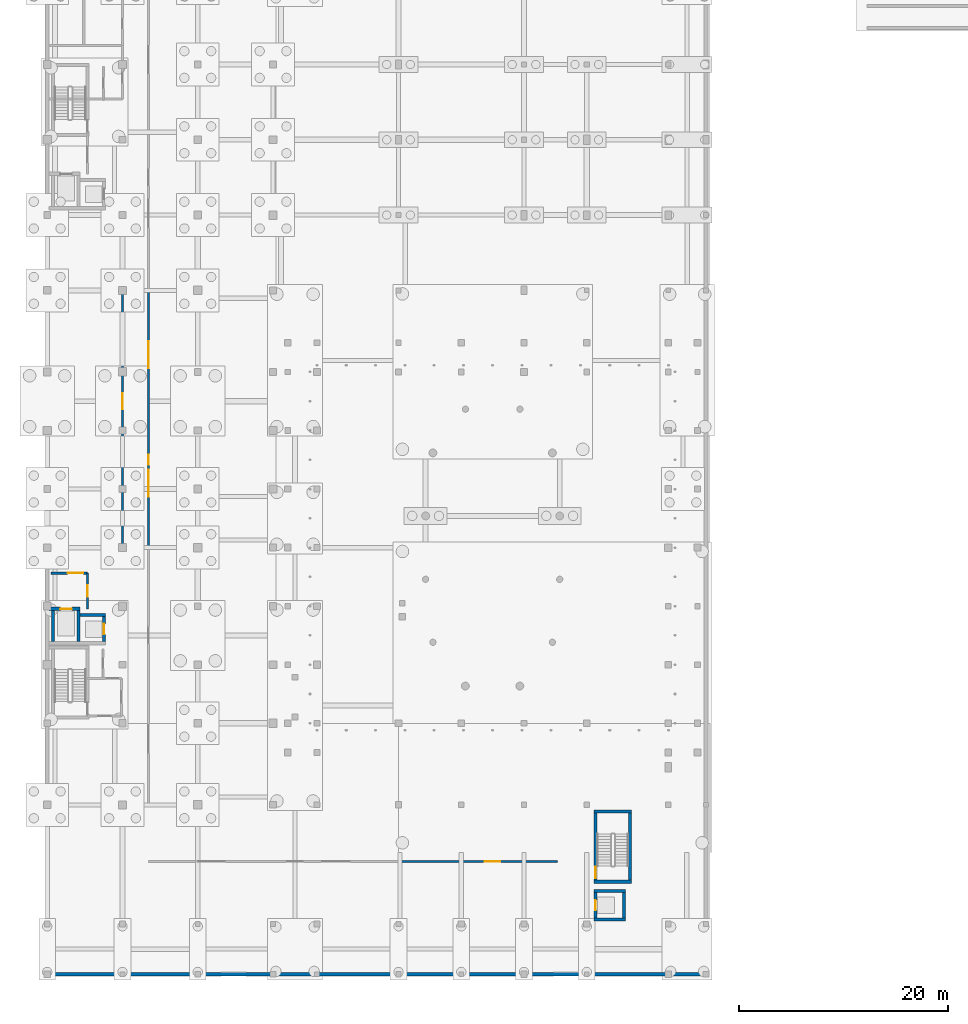
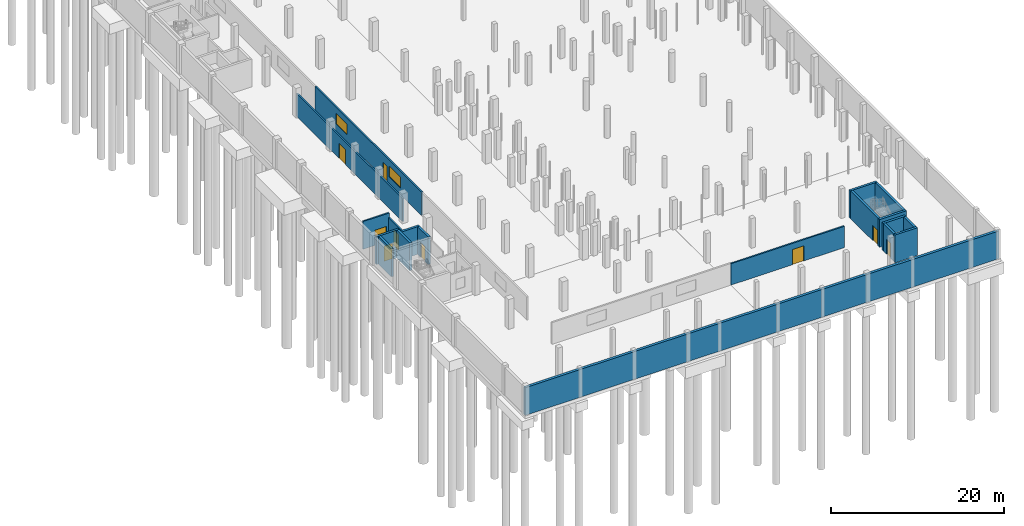
# One storey, part 24 of 34: 19 walls, 9 doors, 2 windows, 11 openings.
"""IFC4 building model written with IfcOpenShell, lengths in metres."""

from ifc_helpers import new_model, si_unit, direction, frame, frame_2d, origin, place, context, subcontext, project, spatial, rectangle, extrude, material, layer, layer_set, type_object, element, fill, save


model = new_model("IFC4")

# Units and contexts
model_context = context("Model", 3, precision=1e-05, world=origin(), true_north=direction((0.0, 1.0)))
body_context = subcontext(model_context, "Body", "Model", "MODEL_VIEW")
ifc_project = project(units=[si_unit("LENGTHUNIT", "METRE"), si_unit("AREAUNIT", "SQUARE_METRE"), si_unit("VOLUMEUNIT", "CUBIC_METRE"), si_unit("PLANEANGLEUNIT", "RADIAN"), si_unit("MASSUNIT", "GRAM", prefix="KILO")], contexts=[model_context])

# Site, building, storey
site_placement = place(None, origin())
site = spatial("IfcSite", under=ifc_project, at=site_placement, CompositionType="ELEMENT")
building_placement = place(site_placement, origin())
building = spatial("IfcBuilding", under=site, at=building_placement, Name="Vinh Khe Railworks Police Headquarters", CompositionType="ELEMENT")
storey_placement = place(building_placement, frame((0.0, 0.0, -4.199951171875)))
storey = spatial("IfcBuildingStorey", under=building, at=storey_placement, Name="B1", CompositionType="ELEMENT", Elevation=-4.199951171875)

# Wall
ifc_material_1 = material(Name="Concrete C40/50 (B40)", Category="concrete")
ifc_layer_1 = layer(ifc_material_1, 0.35009765625)
ifc_layer_set_1 = layer_set([ifc_layer_1], Name="Concrete C40/50 (B40)")
wall_type_1 = type_object("IfcWallType", Name="Basement Retaining Wall 350", PredefinedType="USERDEFINED", material=ifc_layer_set_1)
wall_1_placement = place(storey_placement, frame((0.425048828125, 1.199951171875, 0.0), z_axis=(0.0, 0.0, 1.0), x_axis=(1.0, 0.0, 0.0)))
element("IfcWall", 1, at=wall_1_placement, inside=storey, type_object=wall_type_1, Name="Basement Retaining Wall 1", ObjectType="RETAININGWALL", PredefinedType="USERDEFINED", context=body_context, shape_type="SweptSolid", body=[
    extrude(rectangle(XDim=63.349853515625, YDim=0.35009765625, at=frame_2d((31.6748046875, 0.0))), origin(), (0.0, 0.0, 1.0), 3.919921875),
])

# Wall, opening, door
ifc_layer_2 = layer(ifc_material_1, 0.300048828125)
ifc_layer_set_2 = layer_set([ifc_layer_2], Name="Concrete C40/50 (B40)")
wall_type_2 = type_object("IfcWallType", Name="Core Shear Wall 300", PredefinedType="SHEAR", material=ifc_layer_set_2)
wall_2_placement = place(storey_placement, frame((0.75, 36.14990234375, 0.0), z_axis=(0.0, 0.0, 1.0), x_axis=(1.0, 0.0, 0.0)))
wall_2 = element("IfcWall", 2, at=wall_2_placement, inside=storey, type_object=wall_type_2, Name="Core C1 FL-N Lift Shaft Wall (B1)", PredefinedType="SHEAR", context=body_context, shape_type="SweptSolid", body=[
    extrude(rectangle(XDim=3.0, YDim=0.300048828125, at=frame_2d((1.5, 0.0))), origin(), (0.0, 0.0, 1.0), 3.919921875),
])
opening_1_placement = place(wall_2_placement, frame((1.10009765625, 0.0, 0.0)))
opening_1 = element("IfcOpeningElement", 3, at=opening_1_placement, cuts=wall_2, Name="Opening LD-01", PredefinedType="OPENING", context=body_context, shape_type="SweptSolid", body=[
    extrude(rectangle(XDim=1.10009765625, YDim=2.14990234375, at=frame_2d((0.550048828125, 1.074951171875))), frame((0.0, 0.1650390625, 0.0), z_axis=(0.0, -1.0, 0.0), x_axis=(1.0, 0.0, 0.0)), (0.0, 0.0, 1.0), 0.329833984375),
])
ifc_material_2 = material(Name="Painted galvanised steel", Category="steel")
door_type_1 = type_object("IfcDoorType", Name="LD-FF-1100", OperationType="SLIDING_TO_LEFT", PredefinedType="DOOR", material=ifc_material_2)
door_1_placement = place(opening_1_placement, origin())
door_1 = element("IfcDoor", 4, at=door_1_placement, inside=storey, type_object=door_type_1, Name="Firefighting Lift Landing Door FL-01 B1", OperationType="SLIDING_TO_LEFT", OverallHeight=2.14990234375, OverallWidth=1.10009765625, PredefinedType="DOOR", context=body_context, shape_type="SweptSolid", body=[
    extrude(rectangle(XDim=1.10009765625, YDim=2.14990234375, at=frame_2d((0.550048828125, 1.074951171875))), frame((0.0, 0.02490234375, 0.0), z_axis=(0.0, -1.0, 0.0), x_axis=(1.0, 0.0, 0.0)), (0.0, 0.0, 1.0), 0.050048828125),
])
fill(opening_1, door_1)

# Walls
wall_3_placement = place(storey_placement, frame((3.75, 35.550048828125, 0.0), z_axis=(0.0, 0.0, 1.0), x_axis=(1.0, 0.0, 0.0)))
element("IfcWall", 5, at=wall_3_placement, inside=storey, type_object=wall_type_2, Name="Core C1 PL-N Lift Shaft Wall (B1)", PredefinedType="SHEAR", context=body_context, shape_type="SweptSolid", body=[
    extrude(rectangle(XDim=2.449951171875, YDim=0.300048828125, at=frame_2d((1.22509765625, 0.0))), origin(), (0.0, 0.0, 1.0), 3.919921875),
])
for number, where, z_axis, x_axis, name in (
    (6, (1.14990234375, 33.0, 0.0), (0.0, 0.0, 1.0), (0.0, 1.0, 0.0), "Core C1 FL-W Lift Shaft Wall (B1)"),
    (7, (3.60009765625, 33.0, 0.0), (0.0, 0.0, 1.0), (0.0, 1.0, 0.0), "Core C1 LIFT-DIV Lift Shaft Wall (B1)"),
):
    element("IfcWall", number, at=place(storey_placement, frame(where, z_axis=z_axis, x_axis=x_axis)), inside=storey, type_object=wall_type_2, Name=name, PredefinedType="SHEAR", context=body_context, shape_type="SweptSolid", body=[
        extrude(rectangle(XDim=3.0, YDim=0.300048828125, at=frame_2d((1.5, 0.0))), origin(), (0.0, 0.0, 1.0), 3.919921875),
    ])

# Wall, opening, door
wall_4_placement = place(storey_placement, frame((6.050048828125, 33.0, 0.0), z_axis=(0.0, 0.0, 1.0), x_axis=(0.0, 1.0, 0.0)))
wall_4 = element("IfcWall", 8, at=wall_4_placement, inside=storey, type_object=wall_type_2, Name="Core C1 PL-E Lift Shaft Wall (B1)", PredefinedType="SHEAR", context=body_context, shape_type="SweptSolid", body=[
    extrude(rectangle(XDim=2.39990234375, YDim=0.300048828125, at=frame_2d((1.199951171875, 0.0))), origin(), (0.0, 0.0, 1.0), 3.919921875),
])
opening_2_placement = place(wall_4_placement, frame((0.699951171875, 0.0, 0.0)))
opening_2 = element("IfcOpeningElement", 9, at=opening_2_placement, cuts=wall_4, Name="Opening LD-02", PredefinedType="OPENING", context=body_context, shape_type="SweptSolid", body=[
    extrude(rectangle(XDim=1.0, YDim=2.14990234375, at=frame_2d((0.5, 1.074951171875))), frame((0.0, 0.1650390625, 0.0), z_axis=(0.0, -1.0, 0.0), x_axis=(1.0, 0.0, 0.0)), (0.0, 0.0, 1.0), 0.329833984375),
])
door_type_2 = type_object("IfcDoorType", Name="LD-PAX-1000", OperationType="SLIDING_TO_RIGHT", PredefinedType="DOOR", material=ifc_material_2)
door_2_placement = place(opening_2_placement, frame((1.0, 0.0, 0.0), z_axis=(0.0, 0.0, 1.0), x_axis=(-1.0, 0.0, 0.0)))
door_2 = element("IfcDoor", 10, at=door_2_placement, inside=storey, type_object=door_type_2, Name="Passenger Lift Landing Door PL-01 B1", OperationType="SLIDING_TO_RIGHT", OverallHeight=2.14990234375, OverallWidth=1.0, PredefinedType="DOOR", context=body_context, shape_type="SweptSolid", body=[
    extrude(rectangle(XDim=1.0, YDim=2.14990234375, at=frame_2d((0.5, 1.074951171875))), frame((0.0, 0.02490234375, 0.0), z_axis=(0.0, -1.0, 0.0), x_axis=(1.0, 0.0, 0.0)), (0.0, 0.0, 1.0), 0.050048828125),
])
fill(opening_2, door_2)

# Walls
for number, where, z_axis, x_axis, name in (
    (11, (52.89990234375, 10.050048828125, 0.0), (0.0, 0.0, 1.0), (1.0, 0.0, 0.0), "Core C5 STAIR-S Shear Wall (B1)"),
    (12, (52.89990234375, 16.75, 0.0), (0.0, 0.0, 1.0), (1.0, 0.0, 0.0), "Core C5 STAIR-N Shear Wall (B1)"),
):
    element("IfcWall", number, at=place(storey_placement, frame(where, z_axis=z_axis, x_axis=x_axis)), inside=storey, type_object=wall_type_2, Name=name, PredefinedType="SHEAR", context=body_context, shape_type="SweptSolid", body=[
        extrude(rectangle(XDim=3.60009765625, YDim=0.300048828125, at=frame_2d((1.800048828125, 0.0))), origin(), (0.0, 0.0, 1.0), 3.919921875),
    ])

# Wall, opening, door
wall_5_placement = place(storey_placement, frame((53.050048828125, 10.199951171875, 0.0), z_axis=(0.0, 0.0, 1.0), x_axis=(0.0, 1.0, 0.0)))
wall_5 = element("IfcWall", 13, at=wall_5_placement, inside=storey, type_object=wall_type_2, Name="Core C5 STAIR-W Shear Wall (B1)", PredefinedType="SHEAR", context=body_context, shape_type="SweptSolid", body=[
    extrude(rectangle(XDim=6.400146484375, YDim=0.300048828125, at=frame_2d((3.2001953125, 0.0))), origin(), (0.0, 0.0, 1.0), 3.919921875),
])
opening_3_placement = place(wall_5_placement, frame((0.169921875, 0.0, 0.0)))
opening_3 = element("IfcOpeningElement", 14, at=opening_3_placement, cuts=wall_5, Name="Opening FD-01", PredefinedType="OPENING", context=body_context, shape_type="SweptSolid", body=[
    extrude(rectangle(XDim=1.10009765625, YDim=2.14990234375, at=frame_2d((0.550048828125, 1.074951171875))), frame((0.0, 0.1650390625, 0.0), z_axis=(0.0, -1.0, 0.0), x_axis=(1.0, 0.0, 0.0)), (0.0, 0.0, 1.0), 0.329833984375),
])
door_type_3 = type_object("IfcDoorType", Name="FD-1100x2150", OperationType="NOTDEFINED", PredefinedType="DOOR", material=ifc_material_2)
door_3_placement = place(opening_3_placement, origin())
door_3 = element("IfcDoor", 15, at=door_3_placement, inside=storey, type_object=door_type_3, Name="Escape Stair ST-05 Fire Door B1", OperationType="SINGLE_SWING_LEFT", OverallHeight=2.14990234375, OverallWidth=1.10009765625, PredefinedType="DOOR", context=body_context, shape_type="SweptSolid", body=[
    extrude(rectangle(XDim=1.10009765625, YDim=2.14990234375, at=frame_2d((0.550048828125, 1.074951171875))), frame((0.0, 0.02490234375, 0.0), z_axis=(0.0, -1.0, 0.0), x_axis=(1.0, 0.0, 0.0)), (0.0, 0.0, 1.0), 0.050048828125),
])
fill(opening_3, door_3)

# Walls
wall_6_placement = place(storey_placement, frame((56.35009765625, 10.199951171875, 0.0), z_axis=(0.0, 0.0, 1.0), x_axis=(0.0, 1.0, 0.0)))
element("IfcWall", 16, at=wall_6_placement, inside=storey, type_object=wall_type_2, Name="Core C5 STAIR-E Shear Wall (B1)", PredefinedType="SHEAR", context=body_context, shape_type="SweptSolid", body=[
    extrude(rectangle(XDim=6.400146484375, YDim=0.300048828125, at=frame_2d((3.2001953125, 0.0))), origin(), (0.0, 0.0, 1.0), 3.919921875),
])
for number, where, z_axis, x_axis, name in (
    (17, (52.89990234375, 6.449951171875, 0.0), (0.0, 0.0, 1.0), (1.0, 0.0, 0.0), "Core C5 PL-S Lift Shaft Wall (B1)"),
    (18, (52.89990234375, 9.14990234375, 0.0), (0.0, 0.0, 1.0), (1.0, 0.0, 0.0), "Core C5 PL-N Lift Shaft Wall (B1)"),
):
    element("IfcWall", number, at=place(storey_placement, frame(where, z_axis=z_axis, x_axis=x_axis)), inside=storey, type_object=wall_type_2, Name=name, PredefinedType="SHEAR", context=body_context, shape_type="SweptSolid", body=[
        extrude(rectangle(XDim=3.0, YDim=0.300048828125, at=frame_2d((1.5, 0.0))), origin(), (0.0, 0.0, 1.0), 3.919921875),
    ])

# Wall, opening, door
wall_7_placement = place(storey_placement, frame((53.050048828125, 6.60009765625, 0.0), z_axis=(0.0, 0.0, 1.0), x_axis=(0.0, 1.0, 0.0)))
wall_7 = element("IfcWall", 19, at=wall_7_placement, inside=storey, type_object=wall_type_2, Name="Core C5 PL-W Lift Shaft Wall (B1)", PredefinedType="SHEAR", context=body_context, shape_type="SweptSolid", body=[
    extrude(rectangle(XDim=2.39990234375, YDim=0.300048828125, at=frame_2d((1.199951171875, 0.0))), origin(), (0.0, 0.0, 1.0), 3.919921875),
])
opening_4_placement = place(wall_7_placement, frame((0.699951171875, 0.0, 0.0)))
opening_4 = element("IfcOpeningElement", 20, at=opening_4_placement, cuts=wall_7, Name="Opening LD-02", PredefinedType="OPENING", context=body_context, shape_type="SweptSolid", body=[
    extrude(rectangle(XDim=1.0, YDim=2.14990234375, at=frame_2d((0.5, 1.074951171875))), frame((0.0, 0.1650390625, 0.0), z_axis=(0.0, -1.0, 0.0), x_axis=(1.0, 0.0, 0.0)), (0.0, 0.0, 1.0), 0.329833984375),
])
door_4_placement = place(opening_4_placement, origin())
door_4 = element("IfcDoor", 21, at=door_4_placement, inside=storey, type_object=door_type_2, Name="Lift Landing Door PL-04 B1", OperationType="SLIDING_TO_LEFT", OverallHeight=2.14990234375, OverallWidth=1.0, PredefinedType="DOOR", context=body_context, shape_type="SweptSolid", body=[
    extrude(rectangle(XDim=1.0, YDim=2.14990234375, at=frame_2d((0.5, 1.074951171875))), frame((0.0, 0.02490234375, 0.0), z_axis=(0.0, -1.0, 0.0), x_axis=(1.0, 0.0, 0.0)), (0.0, 0.0, 1.0), 0.050048828125),
])
fill(opening_4, door_4)

# Wall
wall_8_placement = place(storey_placement, frame((55.75, 6.60009765625, 0.0), z_axis=(0.0, 0.0, 1.0), x_axis=(0.0, 1.0, 0.0)))
element("IfcWall", 22, at=wall_8_placement, inside=storey, type_object=wall_type_2, Name="Core C5 PL-E Lift Shaft Wall (B1)", PredefinedType="SHEAR", context=body_context, shape_type="SweptSolid", body=[
    extrude(rectangle(XDim=2.39990234375, YDim=0.300048828125, at=frame_2d((1.199951171875, 0.0))), origin(), (0.0, 0.0, 1.0), 3.919921875),
])

# Wall, opening, door
ifc_material_3 = material(Name="Autoclaved aerated concrete blockwork", Category="masonry")
ifc_layer_3 = layer(ifc_material_3, 0.199951171875)
ifc_layer_set_3 = layer_set([ifc_layer_3], Name="Autoclaved aerated concrete blockwork")
wall_type_3 = type_object("IfcWallType", Name="IW-BLK-200", PredefinedType="PARTITIONING", material=ifc_layer_set_3)
wall_9_placement = place(storey_placement, frame((0.949951171875, 39.550048828125, 0.0), z_axis=(0.0, 0.0, 1.0), x_axis=(1.0, 0.0, 0.0)))
wall_9 = element("IfcWall", 23, at=wall_9_placement, inside=storey, type_object=wall_type_3, Name="Interior Partition W-FFL-C1-N-B1", PredefinedType="PARTITIONING", context=body_context, shape_type="SweptSolid", body=[
    extrude(rectangle(XDim=3.5, YDim=0.199951171875, at=frame_2d((1.75, 0.0))), origin(), (0.0, 0.0, 1.0), 3.9150390625),
])
opening_5_placement = place(wall_9_placement, frame((1.60009765625, 0.0, 0.0)))
opening_5 = element("IfcOpeningElement", 24, at=opening_5_placement, cuts=wall_9, Name="Opening FD-02", PredefinedType="OPENING", context=body_context, shape_type="SweptSolid", body=[
    extrude(rectangle(XDim=1.5, YDim=2.14990234375, at=frame_2d((0.75, 1.074951171875))), frame((0.0, 0.11474609375, 0.0), z_axis=(0.0, -1.0, 0.0), x_axis=(1.0, 0.0, 0.0)), (0.0, 0.0, 1.0), 0.229736328125),
])
door_type_4 = type_object("IfcDoorType", Name="FD-1500x2150", OperationType="DOUBLE_DOOR_SINGLE_SWING", PredefinedType="DOOR", material=ifc_material_2)
door_5_placement = place(opening_5_placement, origin())
door_5 = element("IfcDoor", 25, at=door_5_placement, inside=storey, type_object=door_type_4, Name="Firefighting Lobby Door", OperationType="DOUBLE_DOOR_SINGLE_SWING", OverallHeight=2.14990234375, OverallWidth=1.5, PredefinedType="DOOR", context=body_context, shape_type="SweptSolid", body=[
    extrude(rectangle(XDim=1.5, YDim=2.14990234375, at=frame_2d((0.75, 1.074951171875))), frame((0.0, 0.02490234375, 0.0), z_axis=(0.0, -1.0, 0.0), x_axis=(1.0, 0.0, 0.0)), (0.0, 0.0, 1.0), 0.050048828125),
])
fill(opening_5, door_5)

wall_10_placement = place(storey_placement, frame((4.449951171875, 36.14990234375, 0.0), z_axis=(0.0, 0.0, 1.0), x_axis=(0.0, 1.0, 0.0)))
wall_10 = element("IfcWall", 26, at=wall_10_placement, inside=storey, type_object=wall_type_3, Name="Interior Partition W-FFL-C1-E-B1", PredefinedType="PARTITIONING", context=body_context, shape_type="SweptSolid", body=[
    extrude(rectangle(XDim=3.400146484375, YDim=0.199951171875, at=frame_2d((1.7001953125, 0.0))), origin(), (0.0, 0.0, 1.0), 3.264892578125),
])
opening_6_placement = place(wall_10_placement, frame((1.14990234375, 0.0, 0.0)))
opening_6 = element("IfcOpeningElement", 27, at=opening_6_placement, cuts=wall_10, Name="Opening FD-01", PredefinedType="OPENING", context=body_context, shape_type="SweptSolid", body=[
    extrude(rectangle(XDim=1.10009765625, YDim=2.14990234375, at=frame_2d((0.550048828125, 1.074951171875))), frame((0.0, 0.11474609375, 0.0), z_axis=(0.0, -1.0, 0.0), x_axis=(1.0, 0.0, 0.0)), (0.0, 0.0, 1.0), 0.229736328125),
])
door_6_placement = place(opening_6_placement, origin())
door_6 = element("IfcDoor", 28, at=door_6_placement, inside=storey, type_object=door_type_3, Name="Firefighting Lobby Exit Door", OperationType="SINGLE_SWING_LEFT", OverallHeight=2.14990234375, OverallWidth=1.10009765625, PredefinedType="DOOR", context=body_context, shape_type="SweptSolid", body=[
    extrude(rectangle(XDim=1.10009765625, YDim=2.14990234375, at=frame_2d((0.550048828125, 1.074951171875))), frame((0.0, 0.02490234375, 0.0), z_axis=(0.0, -1.0, 0.0), x_axis=(1.0, 0.0, 0.0)), (0.0, 0.0, 1.0), 0.050048828125),
])
fill(opening_6, door_6)

# Wall, openings, door, windows
wall_11_placement = place(storey_placement, frame((10.300048828125, 42.0, 0.0), z_axis=(0.0, 0.0, 1.0), x_axis=(0.0, 1.0, 0.0)))
wall_11 = element("IfcWall", 29, at=wall_11_placement, inside=storey, type_object=wall_type_3, Name="Interior Partition W-B1-ARM", PredefinedType="PARTITIONING", context=body_context, shape_type="SweptSolid", body=[
    extrude(rectangle(XDim=24.60009765625, YDim=0.199951171875, at=frame_2d((12.300048828125, 0.0))), origin(), (0.0, 0.0, 1.0), 3.31494140625),
])
opening_7_placement = place(wall_11_placement, frame((7.89990234375, 0.0, 0.0)))
opening_7 = element("IfcOpeningElement", 30, at=opening_7_placement, cuts=wall_11, Name="Opening FD-03", PredefinedType="OPENING", context=body_context, shape_type="SweptSolid", body=[
    extrude(rectangle(XDim=1.0, YDim=2.14990234375, at=frame_2d((0.5, 1.074951171875))), frame((0.0, 0.11474609375, 0.0), z_axis=(0.0, -1.0, 0.0), x_axis=(1.0, 0.0, 0.0)), (0.0, 0.0, 1.0), 0.229736328125),
])
opening_8_placement = place(wall_11_placement, frame((4.85009765625, 0.0, 0.949951171875)))
opening_8 = element("IfcOpeningElement", 31, at=opening_8_placement, cuts=wall_11, Name="Opening WN-07", PredefinedType="OPENING", context=body_context, shape_type="SweptSolid", body=[
    extrude(rectangle(XDim=2.60009765625, YDim=1.5, at=frame_2d((1.300048828125, 0.75))), frame((0.0, 0.11474609375, 0.0), z_axis=(0.0, -1.0, 0.0), x_axis=(1.0, 0.0, 0.0)), (0.0, 0.0, 1.0), 0.229736328125),
])
opening_9_placement = place(wall_11_placement, frame((17.14990234375, 0.0, 0.949951171875)))
opening_9 = element("IfcOpeningElement", 32, at=opening_9_placement, cuts=wall_11, Name="Opening WN-07", PredefinedType="OPENING", context=body_context, shape_type="SweptSolid", body=[
    extrude(rectangle(XDim=2.60009765625, YDim=1.5, at=frame_2d((1.300048828125, 0.75))), frame((0.0, 0.11474609375, 0.0), z_axis=(0.0, -1.0, 0.0), x_axis=(1.0, 0.0, 0.0)), (0.0, 0.0, 1.0), 0.229736328125),
])
door_type_5 = type_object("IfcDoorType", Name="FD-1000x2150", OperationType="NOTDEFINED", PredefinedType="DOOR", material=ifc_material_2)
door_7_placement = place(opening_7_placement, origin())
door_7 = element("IfcDoor", 33, at=door_7_placement, inside=storey, type_object=door_type_5, Name="Central Armoury Vault Door", OperationType="SINGLE_SWING_LEFT", OverallHeight=2.14990234375, OverallWidth=1.0, PredefinedType="DOOR", context=body_context, shape_type="SweptSolid", body=[
    extrude(rectangle(XDim=1.0, YDim=2.14990234375, at=frame_2d((0.5, 1.074951171875))), frame((0.0, 0.02490234375, 0.0), z_axis=(0.0, -1.0, 0.0), x_axis=(1.0, 0.0, 0.0)), (0.0, 0.0, 1.0), 0.050048828125),
])
fill(opening_7, door_7)
ifc_material_4 = material(Name="Double-glazed solar-control glass in dark steel frame", Category="steel")
window_type = type_object("IfcWindowType", Name="WIN-WN-07", PartitioningType="DOUBLE_PANEL_HORIZONTAL", PredefinedType="WINDOW", material=ifc_material_4)
window_1_placement = place(opening_8_placement, origin())
window_1 = element("IfcWindow", 34, at=window_1_placement, inside=storey, type_object=window_type, Name="Interior Acoustic Vision Window WN-07", OverallHeight=1.5, OverallWidth=2.60009765625, PartitioningType="SINGLE_PANEL", PredefinedType="WINDOW", context=body_context, shape_type="SweptSolid", body=[
    extrude(rectangle(XDim=2.60009765625, YDim=1.5, at=frame_2d((1.300048828125, 0.75))), frame((0.0, 0.030029296875, 0.0), z_axis=(0.0, -1.0, 0.0), x_axis=(1.0, 0.0, 0.0)), (0.0, 0.0, 1.0), 0.06005859375),
])
fill(opening_8, window_1)
window_2_placement = place(opening_9_placement, origin())
window_2 = element("IfcWindow", 35, at=window_2_placement, inside=storey, type_object=window_type, Name="Interior Acoustic Vision Window WN-07", OverallHeight=1.5, OverallWidth=2.60009765625, PartitioningType="SINGLE_PANEL", PredefinedType="WINDOW", context=body_context, shape_type="SweptSolid", body=[
    extrude(rectangle(XDim=2.60009765625, YDim=1.5, at=frame_2d((1.300048828125, 0.75))), frame((0.0, 0.030029296875, 0.0), z_axis=(0.0, -1.0, 0.0), x_axis=(1.0, 0.0, 0.0)), (0.0, 0.0, 1.0), 0.06005859375),
])
fill(opening_9, window_2)

# Wall, opening, door
wall_12_placement = place(storey_placement, frame((7.800048828125, 42.0, 0.0), z_axis=(0.0, 0.0, 1.0), x_axis=(0.0, 1.0, 0.0)))
wall_12 = element("IfcWall", 36, at=wall_12_placement, inside=storey, type_object=wall_type_3, Name="Interior Partition W-B1-FPP", PredefinedType="PARTITIONING", context=body_context, shape_type="SweptSolid", body=[
    extrude(rectangle(XDim=24.60009765625, YDim=0.199951171875, at=frame_2d((12.300048828125, 0.0))), origin(), (0.0, 0.0, 1.0), 3.21484375),
])
opening_10_placement = place(wall_12_placement, frame((13.25, 0.0, 0.0)))
opening_10 = element("IfcOpeningElement", 37, at=opening_10_placement, cuts=wall_12, Name="Opening FD-02", PredefinedType="OPENING", context=body_context, shape_type="SweptSolid", body=[
    extrude(rectangle(XDim=1.5, YDim=2.14990234375, at=frame_2d((0.75, 1.074951171875))), frame((0.0, 0.11474609375, 0.0), z_axis=(0.0, -1.0, 0.0), x_axis=(1.0, 0.0, 0.0)), (0.0, 0.0, 1.0), 0.229736328125),
])
door_8_placement = place(opening_10_placement, origin())
door_8 = element("IfcDoor", 38, at=door_8_placement, inside=storey, type_object=door_type_4, Name="Fire Pump and Sprinkler Plant Door", OperationType="DOUBLE_DOOR_SINGLE_SWING", OverallHeight=2.14990234375, OverallWidth=1.5, PredefinedType="DOOR", context=body_context, shape_type="SweptSolid", body=[
    extrude(rectangle(XDim=1.5, YDim=2.14990234375, at=frame_2d((0.75, 1.074951171875))), frame((0.0, 0.02490234375, 0.0), z_axis=(0.0, -1.0, 0.0), x_axis=(1.0, 0.0, 0.0)), (0.0, 0.0, 1.0), 0.050048828125),
])
fill(opening_10, door_8)

wall_13_placement = place(storey_placement, frame((34.199951171875, 12.0, 0.0), z_axis=(0.0, 0.0, 1.0), x_axis=(1.0, 0.0, 0.0)))
wall_13 = element("IfcWall", 39, at=wall_13_placement, inside=storey, type_object=wall_type_3, Name="Interior Partition W-B1-GEN", PredefinedType="PARTITIONING", context=body_context, shape_type="SweptSolid", body=[
    extrude(rectangle(XDim=15.199951171875, YDim=0.199951171875, at=frame_2d((7.60009765625, 0.0))), origin(), (0.0, 0.0, 1.0), 3.014892578125),
])
opening_11_placement = place(wall_13_placement, frame((8.25, 0.0, 0.0)))
opening_11 = element("IfcOpeningElement", 40, at=opening_11_placement, cuts=wall_13, Name="Opening FD-02", PredefinedType="OPENING", context=body_context, shape_type="SweptSolid", body=[
    extrude(rectangle(XDim=1.5, YDim=2.14990234375, at=frame_2d((0.75, 1.074951171875))), frame((0.0, 0.11474609375, 0.0), z_axis=(0.0, -1.0, 0.0), x_axis=(1.0, 0.0, 0.0)), (0.0, 0.0, 1.0), 0.229736328125),
])
door_9_placement = place(opening_11_placement, origin())
door_9 = element("IfcDoor", 41, at=door_9_placement, inside=storey, type_object=door_type_4, Name="Standby Generator Room Door", OperationType="DOUBLE_DOOR_SINGLE_SWING", OverallHeight=2.14990234375, OverallWidth=1.5, PredefinedType="DOOR", context=body_context, shape_type="SweptSolid", body=[
    extrude(rectangle(XDim=1.5, YDim=2.14990234375, at=frame_2d((0.75, 1.074951171875))), frame((0.0, 0.02490234375, 0.0), z_axis=(0.0, -1.0, 0.0), x_axis=(1.0, 0.0, 0.0)), (0.0, 0.0, 1.0), 0.050048828125),
])
fill(opening_11, door_9)

save(model, "model.ifc")
